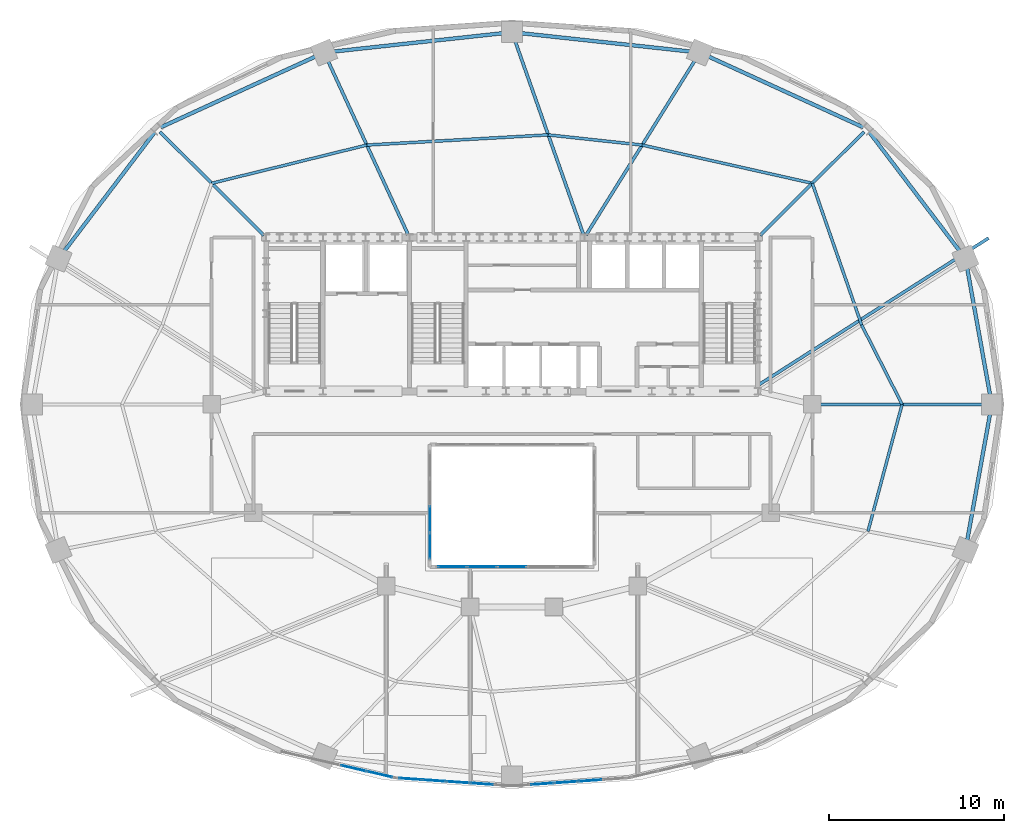
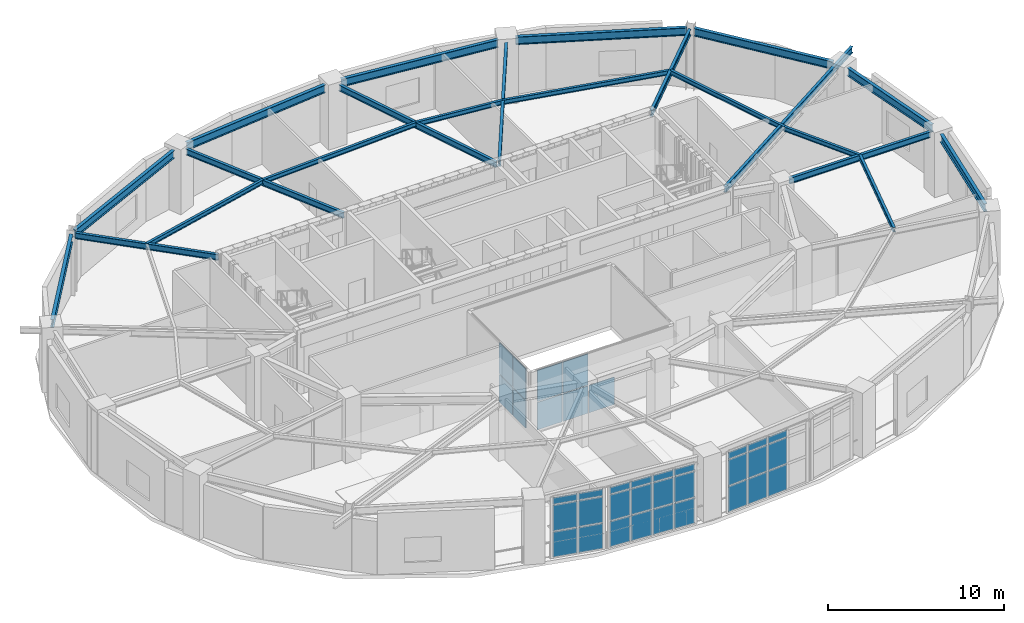
# One storey, part 7 of 13: 36 plates, 22 beams, 5 elements without a shape of their own.
"""IFC4 building model written with IfcOpenShell, lengths in metres."""

from ifc_helpers import new_model, si_unit, direction, frame, origin, origin_2d, place, context, subcontext, project, spatial, rectangle, i_section, extrude, material, layer, layer_set, material_profile, profile_set, type_object, element, aggregate, save


model = new_model("IFC4")

# Units and contexts
model_context = context("Model", 3, precision=1e-05, world=origin(), true_north=direction((0.0, 1.0)))
body_context = subcontext(model_context, "Body", "Model", "MODEL_VIEW")
ifc_project = project(units=[si_unit("LENGTHUNIT", "METRE"), si_unit("AREAUNIT", "SQUARE_METRE"), si_unit("VOLUMEUNIT", "CUBIC_METRE"), si_unit("PLANEANGLEUNIT", "RADIAN"), si_unit("MASSUNIT", "GRAM", prefix="KILO")], contexts=[model_context])

# Site, building, storey
site_placement = place(None, origin())
site = spatial("IfcSite", under=ifc_project, at=site_placement, CompositionType="ELEMENT")
building_placement = place(site_placement, origin())
building = spatial("IfcBuilding", under=site, at=building_placement, Name="Haldorwick Loom Tower", CompositionType="ELEMENT")
storey_placement = place(building_placement, frame((0.0, 0.0, 188.949951171875)))
storey = spatial("IfcBuildingStorey", under=building, at=storey_placement, Name="L51", CompositionType="ELEMENT", Elevation=188.949951171875)

# Beams
ifc_material_1 = material(Name="Steel CSA G40.21 350W", Category="steel")
ifc_material_profile_1 = material_profile(ifc_material_1, i_section(OverallWidth=0.179931640625, OverallDepth=0.4130859375, WebThickness=0.009765625, FlangeThickness=0.01611328125, at=origin_2d()), Name="W410X74", Category="steel")
ifc_profile_set_1 = profile_set([ifc_material_profile_1], Name="Steel CSA G40.21 350W")
beam_type_1 = type_object("IfcBeamType", Name="STR-BM-BAL410", PredefinedType="BEAM", material=ifc_profile_set_1)
beam_1_placement = place(storey_placement, frame((50.0693359375, 27.081787109375, 4.053466796875), z_axis=(0.842844376394, 0.538157372133, 0.0), x_axis=(-0.538157372133, 0.842844376394, 0.0)))
element("IfcBeam", 1, at=beam_1_placement, inside=storey, type_object=beam_type_1, Name="L51 Continuous Back-Spanned Balcony Beam 4", PredefinedType="BEAM", context=body_context, shape_type="SweptSolid", body=[
    extrude(i_section(OverallWidth=0.179931640625, OverallDepth=0.4130859375, WebThickness=0.009765625, FlangeThickness=0.01611328125, at=origin_2d()), origin(), (0.0, 0.0, 1.0), 15.680419921875),
])
ifc_material_profile_2 = material_profile(ifc_material_1, i_section(OverallWidth=0.166015625, OverallDepth=0.31298828125, WebThickness=0.006591796875, FlangeThickness=0.01123046875, at=origin_2d()), Name="W310X45", Category="steel")
ifc_profile_set_2 = profile_set([ifc_material_profile_2], Name="Steel CSA G40.21 350W")
beam_type_2 = type_object("IfcBeamType", Name="STR-BM-J310", PredefinedType="JOIST", material=ifc_profile_set_2)
beam_2_placement = place(storey_placement, frame((58.333251953125, 26.0, 4.103515625), z_axis=(-0.454203827517, 0.890897796085, 0.0), x_axis=(-0.890897796085, -0.454203827517, 0.0)))
element("IfcBeam", 2, at=beam_2_placement, inside=storey, type_object=beam_type_2, Name="L51 Mid-Bay Secondary Joist 1", PredefinedType="JOIST", context=body_context, shape_type="SweptSolid", body=[
    extrude(i_section(OverallWidth=0.166015625, OverallDepth=0.31298828125, WebThickness=0.006591796875, FlangeThickness=0.01123046875, at=origin_2d()), origin(), (0.0, 0.0, 1.0), 5.103271484375),
])
beam_3_placement = place(storey_placement, frame((56.015380859375, 30.54638671875, 4.103515625), z_axis=(-0.328550395803, 0.944486441098, 0.0), x_axis=(-0.944486441098, -0.328550395803, 0.0)))
element("IfcBeam", 3, at=beam_3_placement, inside=storey, type_object=beam_type_2, Name="L51 Mid-Bay Secondary Joist 2", PredefinedType="JOIST", context=body_context, shape_type="SweptSolid", body=[
    extrude(i_section(OverallWidth=0.166015625, OverallDepth=0.31298828125, WebThickness=0.006591796875, FlangeThickness=0.01123046875, at=origin_2d()), origin(), (0.0, 0.0, 1.0), 8.587890625),
])
beam_4_placement = place(storey_placement, frame((53.19384765625, 38.657470703125, 4.103515625), z_axis=(-0.975700785876, 0.219107225898, 0.0), x_axis=(-0.219107225898, -0.975700785876, 0.0)))
element("IfcBeam", 4, at=beam_4_placement, inside=storey, type_object=beam_type_2, Name="L51 Mid-Bay Secondary Joist 3", PredefinedType="JOIST", context=body_context, shape_type="SweptSolid", body=[
    extrude(i_section(OverallWidth=0.166015625, OverallDepth=0.31298828125, WebThickness=0.006591796875, FlangeThickness=0.01123046875, at=origin_2d()), origin(), (0.0, 0.0, 1.0), 9.98486328125),
])
beam_5_placement = place(storey_placement, frame((43.45166015625, 40.84521484375, 4.103515625), z_axis=(-0.994187082722, 0.107666357549, 0.0), x_axis=(-0.107666357549, -0.994187082722, 0.0)))
element("IfcBeam", 5, at=beam_5_placement, inside=storey, type_object=beam_type_2, Name="L51 Mid-Bay Secondary Joist 4", PredefinedType="JOIST", context=body_context, shape_type="SweptSolid", body=[
    extrude(i_section(OverallWidth=0.166015625, OverallDepth=0.31298828125, WebThickness=0.006591796875, FlangeThickness=0.01123046875, at=origin_2d()), origin(), (0.0, 0.0, 1.0), 5.408203125),
])
beam_6_placement = place(storey_placement, frame((38.074951171875, 41.427490234375, 4.103515625), z_axis=(-0.998432354117, -0.05597172726, 0.0), x_axis=(0.05597172726, -0.998432354117, 0.0)))
element("IfcBeam", 6, at=beam_6_placement, inside=storey, type_object=beam_type_2, Name="L51 Mid-Bay Secondary Joist 5", PredefinedType="JOIST", context=body_context, shape_type="SweptSolid", body=[
    extrude(i_section(OverallWidth=0.166015625, OverallDepth=0.31298828125, WebThickness=0.006591796875, FlangeThickness=0.01123046875, at=origin_2d()), origin(), (0.0, 0.0, 1.0), 10.403076171875),
])
beam_7_placement = place(storey_placement, frame((27.688232421875, 40.84521484375, 4.103515625), z_axis=(-0.970979703726, -0.239161901132, 0.0), x_axis=(0.239161901132, -0.970979703726, 0.0)))
element("IfcBeam", 7, at=beam_7_placement, inside=storey, type_object=beam_type_2, Name="L51 Mid-Bay Secondary Joist 6", PredefinedType="JOIST", context=body_context, shape_type="SweptSolid", body=[
    extrude(i_section(OverallWidth=0.166015625, OverallDepth=0.31298828125, WebThickness=0.006591796875, FlangeThickness=0.01123046875, at=origin_2d()), origin(), (0.0, 0.0, 1.0), 9.1474609375),
])
beam_8_placement = place(storey_placement, frame((56.380615234375, 18.728759765625, 4.103515625), z_axis=(0.259353588718, 0.965782437208, 0.0), x_axis=(-0.965782437208, 0.259353588718, 0.0)))
element("IfcBeam", 8, at=beam_8_placement, inside=storey, type_object=beam_type_2, Name="L51 Mid-Bay Secondary Joist 16", PredefinedType="JOIST", context=body_context, shape_type="SweptSolid", body=[
    extrude(i_section(OverallWidth=0.166015625, OverallDepth=0.31298828125, WebThickness=0.006591796875, FlangeThickness=0.01123046875, at=origin_2d()), origin(), (0.0, 0.0, 1.0), 7.52880859375),
])
ifc_material_profile_3 = material_profile(ifc_material_1, i_section(OverallWidth=0.179931640625, OverallDepth=0.4130859375, WebThickness=0.009765625, FlangeThickness=0.01611328125, at=origin_2d()), Name="W410X74", Category="steel")
ifc_profile_set_3 = profile_set([ifc_material_profile_3], Name="Steel CSA G40.21 350W")
beam_type_3 = type_object("IfcBeamType", Name="STR-BM-J410", PredefinedType="JOIST", material=ifc_profile_set_3)
beam_9_placement = place(storey_placement, frame((53.675048828125, 26.0, 4.053466796875), z_axis=(1.0, 0.0, 0.0), x_axis=(0.0, 1.0, 0.0)))
element("IfcBeam", 9, at=beam_9_placement, inside=storey, type_object=beam_type_3, Name="L51 Radial Floor Girder 1", PredefinedType="JOIST", context=body_context, shape_type="SweptSolid", body=[
    extrude(i_section(OverallWidth=0.179931640625, OverallDepth=0.4130859375, WebThickness=0.009765625, FlangeThickness=0.01611328125, at=origin_2d()), origin(), (0.0, 0.0, 1.0), 9.271240234375),
])
beam_10_placement = place(storey_placement, frame((50.1962890625, 35.675537109375, 4.053466796875), z_axis=(0.708962390492, 0.70524628951, 0.0), x_axis=(-0.70524628951, 0.708962390492, 0.0)))
element("IfcBeam", 10, at=beam_10_placement, inside=storey, type_object=beam_type_3, Name="L51 Radial Floor Girder 3", PredefinedType="JOIST", context=body_context, shape_type="SweptSolid", body=[
    extrude(i_section(OverallWidth=0.179931640625, OverallDepth=0.4130859375, WebThickness=0.009765625, FlangeThickness=0.01611328125, at=origin_2d()), origin(), (0.0, 0.0, 1.0), 8.409423828125),
])
beam_11_placement = place(storey_placement, frame((40.244140625, 35.700927734375, 4.053466796875), z_axis=(0.529095323143, 0.848562395483, 0.0), x_axis=(-0.848562395483, 0.529095323143, 0.0)))
element("IfcBeam", 11, at=beam_11_placement, inside=storey, type_object=beam_type_3, Name="L51 Radial Floor Girder 4", PredefinedType="JOIST", context=body_context, shape_type="SweptSolid", body=[
    extrude(i_section(OverallWidth=0.179931640625, OverallDepth=0.4130859375, WebThickness=0.009765625, FlangeThickness=0.01611328125, at=origin_2d()), origin(), (0.0, 0.0, 1.0), 11.78271484375),
])
beam_12_placement = place(storey_placement, frame((40.0908203125, 35.7177734375, 4.053466796875), z_axis=(-0.332908014691, 0.942959306521, 0.0), x_axis=(-0.942959306521, -0.332908014691, 0.0)))
element("IfcBeam", 12, at=beam_12_placement, inside=storey, type_object=beam_type_3, Name="L51 Radial Floor Girder 5", PredefinedType="JOIST", context=body_context, shape_type="SweptSolid", body=[
    extrude(i_section(OverallWidth=0.179931640625, OverallDepth=0.4130859375, WebThickness=0.009765625, FlangeThickness=0.01611328125, at=origin_2d()), origin(), (0.0, 0.0, 1.0), 11.768310546875),
])
beam_13_placement = place(storey_placement, frame((30.055419921875, 35.711669921875, 4.053466796875), z_axis=(-0.418729142855, 0.908111174319, 0.0), x_axis=(-0.908111174319, -0.418729142855, 0.0)))
element("IfcBeam", 13, at=beam_13_placement, inside=storey, type_object=beam_type_3, Name="L51 Radial Floor Girder 6", PredefinedType="JOIST", context=body_context, shape_type="SweptSolid", body=[
    extrude(i_section(OverallWidth=0.179931640625, OverallDepth=0.4130859375, WebThickness=0.009765625, FlangeThickness=0.01611328125, at=origin_2d()), origin(), (0.0, 0.0, 1.0), 10.96435546875),
])
beam_14_placement = place(storey_placement, frame((21.8037109375, 35.675537109375, 4.053466796875), z_axis=(-0.708962390492, 0.70524628951, 0.0), x_axis=(-0.70524628951, -0.708962390492, 0.0)))
element("IfcBeam", 14, at=beam_14_placement, inside=storey, type_object=beam_type_3, Name="L51 Radial Floor Girder 7", PredefinedType="JOIST", context=body_context, shape_type="SweptSolid", body=[
    extrude(i_section(OverallWidth=0.179931640625, OverallDepth=0.4130859375, WebThickness=0.009765625, FlangeThickness=0.01611328125, at=origin_2d()), origin(), (0.0, 0.0, 1.0), 8.409423828125),
])
ifc_material_profile_4 = material_profile(ifc_material_1, i_section(OverallWidth=0.2119140625, OverallDepth=0.5439453125, WebThickness=0.01318359375, FlangeThickness=0.021240234375, at=origin_2d()), Name="W530X123", Category="steel")
ifc_profile_set_4 = profile_set([ifc_material_profile_4], Name="Steel CSA G40.21 350W")
beam_type_4 = type_object("IfcBeamType", Name="STR-BM-SP530", PredefinedType="SPANDREL", material=ifc_profile_set_4)
beam_15_placement = place(storey_placement, frame((63.3740234375, 26.51171875, 3.988037109375), z_axis=(-0.1775911332, 0.984104359003, 0.0), x_axis=(-0.984104359003, -0.1775911332, 0.0)))
element("IfcBeam", 15, at=beam_15_placement, inside=storey, type_object=beam_type_4, Name="L51 Perimeter Spandrel 1", PredefinedType="SPANDREL", context=body_context, shape_type="SweptSolid", body=[
    extrude(i_section(OverallWidth=0.2119140625, OverallDepth=0.5439453125, WebThickness=0.01318359375, FlangeThickness=0.021240234375, at=origin_2d()), origin(), (0.0, 0.0, 1.0), 7.437255859375),
])
beam_16_placement = place(storey_placement, frame((61.646240234375, 34.75634765625, 3.988037109375), z_axis=(-0.605236944797, 0.796045376001, 0.0), x_axis=(-0.796045376001, -0.605236944797, 0.0)))
element("IfcBeam", 16, at=beam_16_placement, inside=storey, type_object=beam_type_4, Name="L51 Perimeter Spandrel 2", PredefinedType="SPANDREL", context=body_context, shape_type="SweptSolid", body=[
    extrude(i_section(OverallWidth=0.2119140625, OverallDepth=0.5439453125, WebThickness=0.01318359375, FlangeThickness=0.021240234375, at=origin_2d()), origin(), (0.0, 0.0, 1.0), 8.5791015625),
])
beam_17_placement = place(storey_placement, frame((56.113037109375, 41.8583984375, 3.988037109375), z_axis=(-0.909342182232, 0.416049030299, 0.0), x_axis=(-0.416049030299, -0.909342182232, 0.0)))
element("IfcBeam", 17, at=beam_17_placement, inside=storey, type_object=beam_type_4, Name="L51 Perimeter Spandrel 3", PredefinedType="SPANDREL", context=body_context, shape_type="SweptSolid", body=[
    extrude(i_section(OverallWidth=0.2119140625, OverallDepth=0.5439453125, WebThickness=0.01318359375, FlangeThickness=0.021240234375, at=origin_2d()), origin(), (0.0, 0.0, 1.0), 9.772705078125),
])
for number, where, z_axis, x_axis, name in (
    (18, (46.236328125, 46.196533203125, 3.988037109375), (-0.994187774205, 0.107659972233, 0.0), (-0.107659972233, -0.994187774205, 0.0), "L51 Perimeter Spandrel 4"),
    (19, (35.48291015625, 47.2490234375, 3.988037109375), (-0.994187774205, -0.107659972233, 0.0), (0.107659972233, -0.994187774205, 0.0), "L51 Perimeter Spandrel 5"),
):
    element("IfcBeam", number, at=place(storey_placement, frame(where, z_axis=z_axis, x_axis=x_axis)), inside=storey, type_object=beam_type_4, Name=name, PredefinedType="SPANDREL", context=body_context, shape_type="SweptSolid", body=[
        extrude(i_section(OverallWidth=0.2119140625, OverallDepth=0.5439453125, WebThickness=0.01318359375, FlangeThickness=0.021240234375, at=origin_2d()), origin(), (0.0, 0.0, 1.0), 9.776123046875),
    ])
beam_18_placement = place(storey_placement, frame((24.773681640625, 45.92431640625, 3.988037109375), z_axis=(-0.909342182232, -0.416049030299, 0.0), x_axis=(0.416049030299, -0.909342182232, 0.0)))
element("IfcBeam", 20, at=beam_18_placement, inside=storey, type_object=beam_type_4, Name="L51 Perimeter Spandrel 6", PredefinedType="SPANDREL", context=body_context, shape_type="SweptSolid", body=[
    extrude(i_section(OverallWidth=0.2119140625, OverallDepth=0.5439453125, WebThickness=0.01318359375, FlangeThickness=0.021240234375, at=origin_2d()), origin(), (0.0, 0.0, 1.0), 9.772705078125),
])
beam_19_placement = place(storey_placement, frame((15.546142578125, 41.585693359375, 3.988037109375), z_axis=(-0.605236944797, -0.796045376001, 0.0), x_axis=(0.796045376001, -0.605236944797, 0.0)))
element("IfcBeam", 21, at=beam_19_placement, inside=storey, type_object=beam_type_4, Name="L51 Perimeter Spandrel 7", PredefinedType="SPANDREL", context=body_context, shape_type="SweptSolid", body=[
    extrude(i_section(OverallWidth=0.2119140625, OverallDepth=0.5439453125, WebThickness=0.01318359375, FlangeThickness=0.021240234375, at=origin_2d()), origin(), (0.0, 0.0, 1.0), 8.5791015625),
])
beam_20_placement = place(storey_placement, frame((62.05322265625, 18.169189453125, 3.988037109375), z_axis=(0.1775911332, 0.984104359003, 0.0), x_axis=(-0.984104359003, 0.1775911332, 0.0)))
element("IfcBeam", 22, at=beam_20_placement, inside=storey, type_object=beam_type_4, Name="L51 Perimeter Spandrel 16", PredefinedType="SPANDREL", context=body_context, shape_type="SweptSolid", body=[
    extrude(i_section(OverallWidth=0.2119140625, OverallDepth=0.5439453125, WebThickness=0.01318359375, FlangeThickness=0.021240234375, at=origin_2d()), origin(), (0.0, 0.0, 1.0), 7.437255859375),
])

# Curtain wall, plates
ifc_material_2 = material(Name="Thermally Broken Anodized Aluminium Curtain Wall Framing", Category="aluminium")
curtain_wall_type_1 = type_object("IfcCurtainWallType", Name="ARC-CW-03", PredefinedType="NOTDEFINED", material=ifc_material_2)
curtain_wall_1_placement = place(storey_placement, origin())
curtain_wall_1 = element("IfcCurtainWall", 23, at=curtain_wall_1_placement, inside=storey, type_object=curtain_wall_type_1, Name="L51 Atrium Glazed Screen S", PredefinedType="NOTDEFINED")
ifc_material_3 = material(Name="Triple-Glazed Low-E Argon Insulated Glazing Unit", Category="glass")
ifc_layer_1 = layer(ifc_material_3, 0.04296875, Name="Triple-Glazed Low-E Argon Insulated Glazing Unit", Category="glass")
ifc_layer_set_1 = layer_set([ifc_layer_1], Name="Triple-Glazed Low-E Argon Insulated Glazing Unit")
plate_type_1 = type_object("IfcPlateType", Name="ARC-CWP-03", PredefinedType="CURTAIN_PANEL", material=ifc_layer_set_1)
plate_1_placement = place(storey_placement, frame((36.0, 16.699951171875, 0.066162109375), z_axis=(0.0, 0.0, 1.0), x_axis=(-1.0, 0.0, 0.0)))
plate_1 = element("IfcPlate", 24, at=plate_1_placement, type_object=plate_type_1, Name="CW-03 panel 3.1", PredefinedType="CURTAIN_PANEL", context=body_context, shape_type="SweptSolid", body=[
    extrude(rectangle(XDim=1.654052734375, YDim=0.04296875, at=origin_2d()), origin(), (0.0, 0.0, 1.0), 1.90087890625),
])
plate_2_placement = place(storey_placement, frame((34.280029296875, 16.699951171875, 0.066162109375), z_axis=(0.0, 0.0, 1.0), x_axis=(-1.0, 0.0, 0.0)))
plate_2 = element("IfcPlate", 25, at=plate_2_placement, type_object=plate_type_1, Name="CW-03 panel 4.1", PredefinedType="CURTAIN_PANEL", context=body_context, shape_type="SweptSolid", body=[
    extrude(rectangle(XDim=1.654052734375, YDim=0.04296875, at=origin_2d()), origin(), (0.0, 0.0, 1.0), 1.90087890625),
])
plate_3_placement = place(storey_placement, frame((34.280029296875, 16.699951171875, 2.033203125), z_axis=(0.0, 0.0, 1.0), x_axis=(-1.0, 0.0, 0.0)))
plate_3 = element("IfcPlate", 26, at=plate_3_placement, type_object=plate_type_1, Name="CW-03 panel 4.2", PredefinedType="CURTAIN_PANEL", context=body_context, shape_type="SweptSolid", body=[
    extrude(rectangle(XDim=1.654052734375, YDim=0.04296875, at=origin_2d()), origin(), (0.0, 0.0, 1.0), 2.160888671875),
])
plate_4_placement = place(storey_placement, frame((32.576416015625, 16.699951171875, 0.066162109375), z_axis=(0.0, 0.0, 1.0), x_axis=(-1.0, 0.0, 0.0)))
plate_4 = element("IfcPlate", 27, at=plate_4_placement, type_object=plate_type_1, Name="CW-03 panel 5.1", PredefinedType="CURTAIN_PANEL", context=body_context, shape_type="SweptSolid", body=[
    extrude(rectangle(XDim=1.62109375, YDim=0.04296875, at=origin_2d()), origin(), (0.0, 0.0, 1.0), 1.90087890625),
])
plate_5_placement = place(storey_placement, frame((32.576416015625, 16.699951171875, 2.033203125), z_axis=(0.0, 0.0, 1.0), x_axis=(-1.0, 0.0, 0.0)))
plate_5 = element("IfcPlate", 28, at=plate_5_placement, type_object=plate_type_1, Name="CW-03 panel 5.2", PredefinedType="CURTAIN_PANEL", context=body_context, shape_type="SweptSolid", body=[
    extrude(rectangle(XDim=1.62109375, YDim=0.04296875, at=origin_2d()), origin(), (0.0, 0.0, 1.0), 2.160888671875),
])
aggregate(curtain_wall_1, [plate_1, plate_2, plate_3, plate_4, plate_5])

curtain_wall_2_placement = place(storey_placement, origin())
curtain_wall_2 = element("IfcCurtainWall", 29, at=curtain_wall_2_placement, inside=storey, type_object=curtain_wall_type_1, Name="L51 Atrium Glazed Screen W", PredefinedType="NOTDEFINED")
plate_6_placement = place(storey_placement, frame((31.300048828125, 17.8916015625, 0.066162109375), z_axis=(0.0, 0.0, 1.0), x_axis=(0.0, 1.0, 0.0)))
plate_6 = element("IfcPlate", 30, at=plate_6_placement, type_object=plate_type_1, Name="CW-03 panel 1.1", PredefinedType="CURTAIN_PANEL", context=body_context, shape_type="SweptSolid", body=[
    extrude(rectangle(XDim=1.450927734375, YDim=0.04296875, at=origin_2d()), origin(), (0.0, 0.0, 1.0), 1.90087890625),
])
plate_7_placement = place(storey_placement, frame((31.300048828125, 17.8916015625, 2.033203125), z_axis=(0.0, 0.0, 1.0), x_axis=(0.0, 1.0, 0.0)))
plate_7 = element("IfcPlate", 31, at=plate_7_placement, type_object=plate_type_1, Name="CW-03 panel 1.2", PredefinedType="CURTAIN_PANEL", context=body_context, shape_type="SweptSolid", body=[
    extrude(rectangle(XDim=1.450927734375, YDim=0.04296875, at=origin_2d()), origin(), (0.0, 0.0, 1.0), 2.160888671875),
])
plate_8_placement = place(storey_placement, frame((31.300048828125, 19.425048828125, 0.066162109375), z_axis=(0.0, 0.0, 1.0), x_axis=(0.0, 1.0, 0.0)))
plate_8 = element("IfcPlate", 32, at=plate_8_placement, type_object=plate_type_1, Name="CW-03 panel 2.1", PredefinedType="CURTAIN_PANEL", context=body_context, shape_type="SweptSolid", body=[
    extrude(rectangle(XDim=1.48388671875, YDim=0.04296875, at=origin_2d()), origin(), (0.0, 0.0, 1.0), 1.90087890625),
])
plate_9_placement = place(storey_placement, frame((31.300048828125, 19.425048828125, 2.033203125), z_axis=(0.0, 0.0, 1.0), x_axis=(0.0, 1.0, 0.0)))
plate_9 = element("IfcPlate", 33, at=plate_9_placement, type_object=plate_type_1, Name="CW-03 panel 2.2", PredefinedType="CURTAIN_PANEL", context=body_context, shape_type="SweptSolid", body=[
    extrude(rectangle(XDim=1.48388671875, YDim=0.04296875, at=origin_2d()), origin(), (0.0, 0.0, 1.0), 2.160888671875),
])
aggregate(curtain_wall_2, [plate_6, plate_7, plate_8, plate_9])

curtain_wall_type_2 = type_object("IfcCurtainWallType", Name="ARC-CW-05", PredefinedType="NOTDEFINED", material=ifc_material_2)
curtain_wall_3_placement = place(storey_placement, origin())
curtain_wall_3 = element("IfcCurtainWall", 34, at=curtain_wall_3_placement, inside=storey, type_object=curtain_wall_type_2, Name="L51 Facade Curtain Wall CW-05 Bay 17", PredefinedType="NOTDEFINED")
ifc_layer_2 = layer(ifc_material_3, 0.049072265625, Name="Triple-Glazed Low-E Argon Insulated Glazing Unit", Category="glass")
ifc_layer_set_2 = layer_set([ifc_layer_2], Name="Triple-Glazed Low-E Argon Insulated Glazing Unit")
plate_type_2 = type_object("IfcPlateType", Name="ARC-CWP-05", PredefinedType="CURTAIN_PANEL", material=ifc_layer_set_2)
plate_10_placement = place(storey_placement, frame((26.931884765625, 5.16552734375, 0.068115234375), z_axis=(0.0, 0.0, 1.0), x_axis=(0.974556585323, -0.224141611493, 0.0)))
plate_10 = element("IfcPlate", 35, at=plate_10_placement, type_object=plate_type_2, Name="CW-05 panel 1.1", PredefinedType="CURTAIN_PANEL", context=body_context, shape_type="SweptSolid", body=[
    extrude(rectangle(XDim=1.459716796875, YDim=0.049072265625, at=origin_2d()), origin(), (0.0, 0.0, 1.0), 1.748046875),
])
plate_11_placement = place(storey_placement, frame((26.931884765625, 5.16552734375, 1.88427734375), z_axis=(0.0, 0.0, 1.0), x_axis=(0.974556585323, -0.224141611493, 0.0)))
plate_11 = element("IfcPlate", 36, at=plate_11_placement, type_object=plate_type_2, Name="CW-05 panel 1.2", PredefinedType="CURTAIN_PANEL", context=body_context, shape_type="SweptSolid", body=[
    extrude(rectangle(XDim=1.459716796875, YDim=0.049072265625, at=origin_2d()), origin(), (0.0, 0.0, 1.0), 1.781982421875),
])
plate_12_placement = place(storey_placement, frame((26.931884765625, 5.16552734375, 3.734130859375), z_axis=(0.0, 0.0, 1.0), x_axis=(0.974556585323, -0.224141611493, 0.0)))
plate_12 = element("IfcPlate", 37, at=plate_12_placement, type_object=plate_type_2, Name="CW-05 panel 1.3", PredefinedType="CURTAIN_PANEL", context=body_context, shape_type="SweptSolid", body=[
    extrude(rectangle(XDim=1.459716796875, YDim=0.049072265625, at=origin_2d()), origin(), (0.0, 0.0, 1.0), 0.4580078125),
])
plate_13_placement = place(storey_placement, frame((28.420654296875, 4.822998046875, 0.068115234375), z_axis=(0.0, 0.0, 1.0), x_axis=(0.974556585323, -0.224141611493, 0.0)))
plate_13 = element("IfcPlate", 38, at=plate_13_placement, type_object=plate_type_2, Name="CW-05 panel 2.1", PredefinedType="CURTAIN_PANEL", context=body_context, shape_type="SweptSolid", body=[
    extrude(rectangle(XDim=1.459716796875, YDim=0.049072265625, at=origin_2d()), origin(), (0.0, 0.0, 1.0), 1.748046875),
])
plate_14_placement = place(storey_placement, frame((28.420654296875, 4.822998046875, 1.88427734375), z_axis=(0.0, 0.0, 1.0), x_axis=(0.974556585323, -0.224141611493, 0.0)))
plate_14 = element("IfcPlate", 39, at=plate_14_placement, type_object=plate_type_2, Name="CW-05 panel 2.2", PredefinedType="CURTAIN_PANEL", context=body_context, shape_type="SweptSolid", body=[
    extrude(rectangle(XDim=1.459716796875, YDim=0.049072265625, at=origin_2d()), origin(), (0.0, 0.0, 1.0), 1.781982421875),
])
plate_15_placement = place(storey_placement, frame((28.420654296875, 4.822998046875, 3.734130859375), z_axis=(0.0, 0.0, 1.0), x_axis=(0.974556585323, -0.224141611493, 0.0)))
plate_15 = element("IfcPlate", 40, at=plate_15_placement, type_object=plate_type_2, Name="CW-05 panel 2.3", PredefinedType="CURTAIN_PANEL", context=body_context, shape_type="SweptSolid", body=[
    extrude(rectangle(XDim=1.459716796875, YDim=0.049072265625, at=origin_2d()), origin(), (0.0, 0.0, 1.0), 0.4580078125),
])
aggregate(curtain_wall_3, [plate_10, plate_11, plate_12, plate_13, plate_14, plate_15])

curtain_wall_4_placement = place(storey_placement, origin())
curtain_wall_4 = element("IfcCurtainWall", 41, at=curtain_wall_4_placement, inside=storey, type_object=curtain_wall_type_2, Name="L51 Facade Curtain Wall CW-05 Bay 18", PredefinedType="NOTDEFINED")
plate_16_placement = place(storey_placement, frame((30.177734375, 4.554931640625, 0.068115234375), z_axis=(0.0, 0.0, 1.0), x_axis=(0.997650196741, -0.068513392431, 0.0)))
plate_16 = element("IfcPlate", 42, at=plate_16_placement, type_object=plate_type_2, Name="CW-05 panel 1.1", PredefinedType="CURTAIN_PANEL", context=body_context, shape_type="SweptSolid", body=[
    extrude(rectangle(XDim=1.27392578125, YDim=0.049072265625, at=origin_2d()), origin(), (0.0, 0.0, 1.0), 1.748046875),
])
plate_17_placement = place(storey_placement, frame((30.177734375, 4.554931640625, 1.88427734375), z_axis=(0.0, 0.0, 1.0), x_axis=(0.997650196741, -0.068513392431, 0.0)))
plate_17 = element("IfcPlate", 43, at=plate_17_placement, type_object=plate_type_2, Name="CW-05 panel 1.2", PredefinedType="CURTAIN_PANEL", context=body_context, shape_type="SweptSolid", body=[
    extrude(rectangle(XDim=1.27392578125, YDim=0.049072265625, at=origin_2d()), origin(), (0.0, 0.0, 1.0), 1.781982421875),
])
plate_18_placement = place(storey_placement, frame((30.177734375, 4.554931640625, 3.734130859375), z_axis=(0.0, 0.0, 1.0), x_axis=(0.997650196741, -0.068513392431, 0.0)))
plate_18 = element("IfcPlate", 44, at=plate_18_placement, type_object=plate_type_2, Name="CW-05 panel 1.3", PredefinedType="CURTAIN_PANEL", context=body_context, shape_type="SweptSolid", body=[
    extrude(rectangle(XDim=1.27392578125, YDim=0.049072265625, at=origin_2d()), origin(), (0.0, 0.0, 1.0), 0.4580078125),
])
plate_19_placement = place(storey_placement, frame((31.533447265625, 4.461669921875, 0.068115234375), z_axis=(0.0, 0.0, 1.0), x_axis=(0.997650196741, -0.068513392431, 0.0)))
plate_19 = element("IfcPlate", 45, at=plate_19_placement, type_object=plate_type_2, Name="CW-05 panel 2.1", PredefinedType="CURTAIN_PANEL", context=body_context, shape_type="SweptSolid", body=[
    extrude(rectangle(XDim=1.30810546875, YDim=0.049072265625, at=origin_2d()), origin(), (0.0, 0.0, 1.0), 1.748046875),
])
plate_20_placement = place(storey_placement, frame((31.533447265625, 4.461669921875, 1.88427734375), z_axis=(0.0, 0.0, 1.0), x_axis=(0.997650196741, -0.068513392431, 0.0)))
plate_20 = element("IfcPlate", 46, at=plate_20_placement, type_object=plate_type_2, Name="CW-05 panel 2.2", PredefinedType="CURTAIN_PANEL", context=body_context, shape_type="SweptSolid", body=[
    extrude(rectangle(XDim=1.30810546875, YDim=0.049072265625, at=origin_2d()), origin(), (0.0, 0.0, 1.0), 1.781982421875),
])
plate_21_placement = place(storey_placement, frame((31.533447265625, 4.461669921875, 3.734130859375), z_axis=(0.0, 0.0, 1.0), x_axis=(0.997650196741, -0.068513392431, 0.0)))
plate_21 = element("IfcPlate", 47, at=plate_21_placement, type_object=plate_type_2, Name="CW-05 panel 2.3", PredefinedType="CURTAIN_PANEL", context=body_context, shape_type="SweptSolid", body=[
    extrude(rectangle(XDim=1.30810546875, YDim=0.049072265625, at=origin_2d()), origin(), (0.0, 0.0, 1.0), 0.4580078125),
])
plate_22_placement = place(storey_placement, frame((32.90625, 4.367431640625, 0.068115234375), z_axis=(0.0, 0.0, 1.0), x_axis=(0.997650196741, -0.068513392431, 0.0)))
plate_22 = element("IfcPlate", 48, at=plate_22_placement, type_object=plate_type_2, Name="CW-05 panel 3.1", PredefinedType="CURTAIN_PANEL", context=body_context, shape_type="SweptSolid", body=[
    extrude(rectangle(XDim=1.30810546875, YDim=0.049072265625, at=origin_2d()), origin(), (0.0, 0.0, 1.0), 1.748046875),
])
plate_23_placement = place(storey_placement, frame((32.90625, 4.367431640625, 1.88427734375), z_axis=(0.0, 0.0, 1.0), x_axis=(0.997650196741, -0.068513392431, 0.0)))
plate_23 = element("IfcPlate", 49, at=plate_23_placement, type_object=plate_type_2, Name="CW-05 panel 3.2", PredefinedType="CURTAIN_PANEL", context=body_context, shape_type="SweptSolid", body=[
    extrude(rectangle(XDim=1.30810546875, YDim=0.049072265625, at=origin_2d()), origin(), (0.0, 0.0, 1.0), 1.781982421875),
])
plate_24_placement = place(storey_placement, frame((32.90625, 4.367431640625, 3.734130859375), z_axis=(0.0, 0.0, 1.0), x_axis=(0.997650196741, -0.068513392431, 0.0)))
plate_24 = element("IfcPlate", 50, at=plate_24_placement, type_object=plate_type_2, Name="CW-05 panel 3.3", PredefinedType="CURTAIN_PANEL", context=body_context, shape_type="SweptSolid", body=[
    extrude(rectangle(XDim=1.30810546875, YDim=0.049072265625, at=origin_2d()), origin(), (0.0, 0.0, 1.0), 0.4580078125),
])
plate_25_placement = place(storey_placement, frame((34.261962890625, 4.2744140625, 0.068115234375), z_axis=(0.0, 0.0, 1.0), x_axis=(0.997650196741, -0.068513392431, 0.0)))
plate_25 = element("IfcPlate", 51, at=plate_25_placement, type_object=plate_type_2, Name="CW-05 panel 4.1", PredefinedType="CURTAIN_PANEL", context=body_context, shape_type="SweptSolid", body=[
    extrude(rectangle(XDim=1.27392578125, YDim=0.049072265625, at=origin_2d()), origin(), (0.0, 0.0, 1.0), 1.748046875),
])
plate_26_placement = place(storey_placement, frame((34.261962890625, 4.2744140625, 1.88427734375), z_axis=(0.0, 0.0, 1.0), x_axis=(0.997650196741, -0.068513392431, 0.0)))
plate_26 = element("IfcPlate", 52, at=plate_26_placement, type_object=plate_type_2, Name="CW-05 panel 4.2", PredefinedType="CURTAIN_PANEL", context=body_context, shape_type="SweptSolid", body=[
    extrude(rectangle(XDim=1.27392578125, YDim=0.049072265625, at=origin_2d()), origin(), (0.0, 0.0, 1.0), 1.781982421875),
])
plate_27_placement = place(storey_placement, frame((34.261962890625, 4.2744140625, 3.734130859375), z_axis=(0.0, 0.0, 1.0), x_axis=(0.997650196741, -0.068513392431, 0.0)))
plate_27 = element("IfcPlate", 53, at=plate_27_placement, type_object=plate_type_2, Name="CW-05 panel 4.3", PredefinedType="CURTAIN_PANEL", context=body_context, shape_type="SweptSolid", body=[
    extrude(rectangle(XDim=1.27392578125, YDim=0.049072265625, at=origin_2d()), origin(), (0.0, 0.0, 1.0), 0.4580078125),
])
aggregate(curtain_wall_4, [plate_16, plate_17, plate_18, plate_19, plate_20, plate_21, plate_22, plate_23, plate_24, plate_25, plate_26, plate_27])

curtain_wall_5_placement = place(storey_placement, origin())
curtain_wall_5 = element("IfcCurtainWall", 54, at=curtain_wall_5_placement, inside=storey, type_object=curtain_wall_type_2, Name="L51 Facade Curtain Wall CW-05 Bay 19", PredefinedType="NOTDEFINED")
plate_28_placement = place(storey_placement, frame((37.738037109375, 4.2744140625, 0.068115234375), z_axis=(0.0, 0.0, 1.0), x_axis=(0.997650196741, 0.068513392431, 0.0)))
plate_28 = element("IfcPlate", 55, at=plate_28_placement, type_object=plate_type_2, Name="CW-05 panel 1.1", PredefinedType="CURTAIN_PANEL", context=body_context, shape_type="SweptSolid", body=[
    extrude(rectangle(XDim=1.27392578125, YDim=0.049072265625, at=origin_2d()), origin(), (0.0, 0.0, 1.0), 1.748046875),
])
plate_29_placement = place(storey_placement, frame((37.738037109375, 4.2744140625, 1.88427734375), z_axis=(0.0, 0.0, 1.0), x_axis=(0.997650196741, 0.068513392431, 0.0)))
plate_29 = element("IfcPlate", 56, at=plate_29_placement, type_object=plate_type_2, Name="CW-05 panel 1.2", PredefinedType="CURTAIN_PANEL", context=body_context, shape_type="SweptSolid", body=[
    extrude(rectangle(XDim=1.27392578125, YDim=0.049072265625, at=origin_2d()), origin(), (0.0, 0.0, 1.0), 1.781982421875),
])
plate_30_placement = place(storey_placement, frame((37.738037109375, 4.2744140625, 3.734130859375), z_axis=(0.0, 0.0, 1.0), x_axis=(0.997650196741, 0.068513392431, 0.0)))
plate_30 = element("IfcPlate", 57, at=plate_30_placement, type_object=plate_type_2, Name="CW-05 panel 1.3", PredefinedType="CURTAIN_PANEL", context=body_context, shape_type="SweptSolid", body=[
    extrude(rectangle(XDim=1.27392578125, YDim=0.049072265625, at=origin_2d()), origin(), (0.0, 0.0, 1.0), 0.4580078125),
])
plate_31_placement = place(storey_placement, frame((39.09375, 4.367431640625, 0.068115234375), z_axis=(0.0, 0.0, 1.0), x_axis=(0.997650196741, 0.068513392431, 0.0)))
plate_31 = element("IfcPlate", 58, at=plate_31_placement, type_object=plate_type_2, Name="CW-05 panel 2.1", PredefinedType="CURTAIN_PANEL", context=body_context, shape_type="SweptSolid", body=[
    extrude(rectangle(XDim=1.30810546875, YDim=0.049072265625, at=origin_2d()), origin(), (0.0, 0.0, 1.0), 1.748046875),
])
plate_32_placement = place(storey_placement, frame((39.09375, 4.367431640625, 1.88427734375), z_axis=(0.0, 0.0, 1.0), x_axis=(0.997650196741, 0.068513392431, 0.0)))
plate_32 = element("IfcPlate", 59, at=plate_32_placement, type_object=plate_type_2, Name="CW-05 panel 2.2", PredefinedType="CURTAIN_PANEL", context=body_context, shape_type="SweptSolid", body=[
    extrude(rectangle(XDim=1.30810546875, YDim=0.049072265625, at=origin_2d()), origin(), (0.0, 0.0, 1.0), 1.781982421875),
])
plate_33_placement = place(storey_placement, frame((39.09375, 4.367431640625, 3.734130859375), z_axis=(0.0, 0.0, 1.0), x_axis=(0.997650196741, 0.068513392431, 0.0)))
plate_33 = element("IfcPlate", 60, at=plate_33_placement, type_object=plate_type_2, Name="CW-05 panel 2.3", PredefinedType="CURTAIN_PANEL", context=body_context, shape_type="SweptSolid", body=[
    extrude(rectangle(XDim=1.30810546875, YDim=0.049072265625, at=origin_2d()), origin(), (0.0, 0.0, 1.0), 0.4580078125),
])
plate_34_placement = place(storey_placement, frame((40.466552734375, 4.461669921875, 0.068115234375), z_axis=(0.0, 0.0, 1.0), x_axis=(0.997650196741, 0.068513392431, 0.0)))
plate_34 = element("IfcPlate", 61, at=plate_34_placement, type_object=plate_type_2, Name="CW-05 panel 3.1", PredefinedType="CURTAIN_PANEL", context=body_context, shape_type="SweptSolid", body=[
    extrude(rectangle(XDim=1.30810546875, YDim=0.049072265625, at=origin_2d()), origin(), (0.0, 0.0, 1.0), 1.748046875),
])
plate_35_placement = place(storey_placement, frame((40.466552734375, 4.461669921875, 1.88427734375), z_axis=(0.0, 0.0, 1.0), x_axis=(0.997650196741, 0.068513392431, 0.0)))
plate_35 = element("IfcPlate", 62, at=plate_35_placement, type_object=plate_type_2, Name="CW-05 panel 3.2", PredefinedType="CURTAIN_PANEL", context=body_context, shape_type="SweptSolid", body=[
    extrude(rectangle(XDim=1.30810546875, YDim=0.049072265625, at=origin_2d()), origin(), (0.0, 0.0, 1.0), 1.781982421875),
])
plate_36_placement = place(storey_placement, frame((40.466552734375, 4.461669921875, 3.734130859375), z_axis=(0.0, 0.0, 1.0), x_axis=(0.997650196741, 0.068513392431, 0.0)))
plate_36 = element("IfcPlate", 63, at=plate_36_placement, type_object=plate_type_2, Name="CW-05 panel 3.3", PredefinedType="CURTAIN_PANEL", context=body_context, shape_type="SweptSolid", body=[
    extrude(rectangle(XDim=1.30810546875, YDim=0.049072265625, at=origin_2d()), origin(), (0.0, 0.0, 1.0), 0.4580078125),
])
aggregate(curtain_wall_5, [plate_28, plate_29, plate_30, plate_31, plate_32, plate_33, plate_34, plate_35, plate_36])

save(model, "model.ifc")
